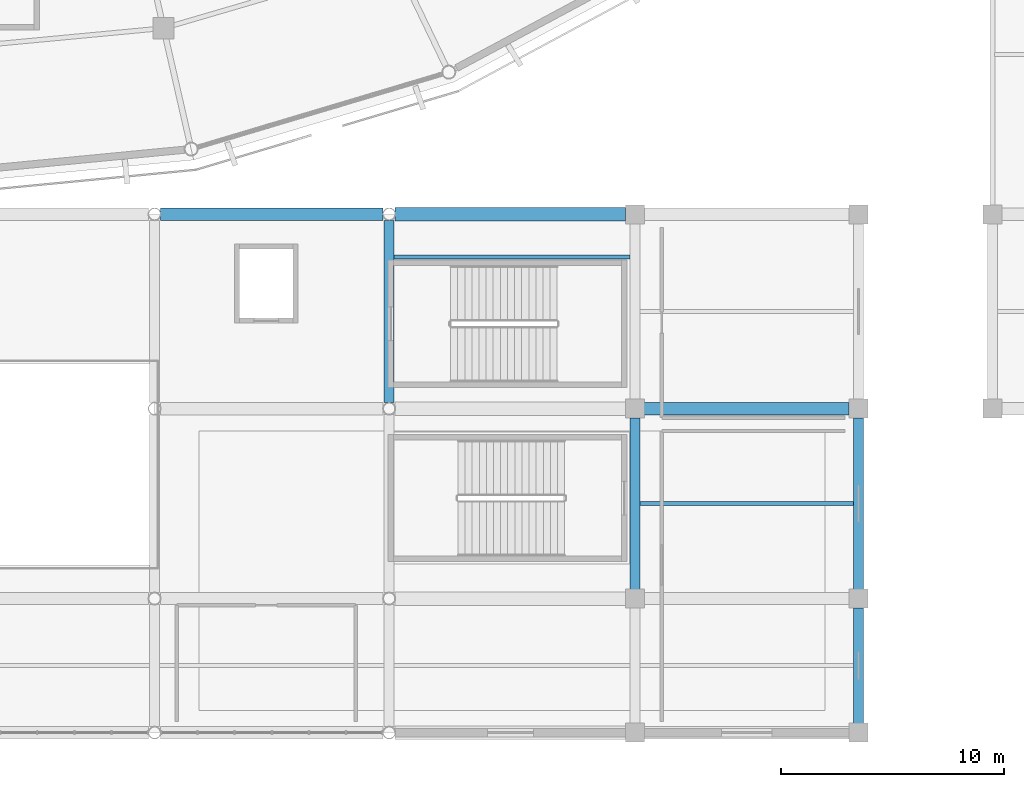
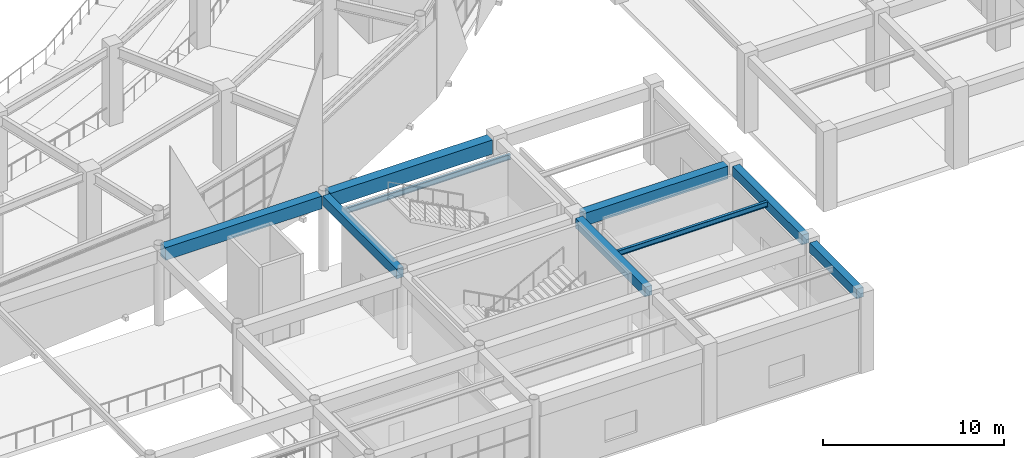
# One storey, part 27 of 120: 9 beams.
"""IFC4 building model written with IfcOpenShell, lengths in metres."""

from ifc_helpers import new_model, si_unit, direction, frame, origin, origin_2d, place, context, subcontext, project, spatial, rectangle, i_section, extrude, material, material_profile, profile_set, type_object, element, save


model = new_model("IFC4")

# Units and contexts
model_context = context("Model", 3, precision=1e-05, world=origin(), true_north=direction((0.0, 1.0)))
body_context = subcontext(model_context, "Body", "Model", "MODEL_VIEW")
ifc_project = project(units=[si_unit("LENGTHUNIT", "METRE"), si_unit("AREAUNIT", "SQUARE_METRE"), si_unit("VOLUMEUNIT", "CUBIC_METRE"), si_unit("PLANEANGLEUNIT", "RADIAN"), si_unit("MASSUNIT", "GRAM", prefix="KILO")], contexts=[model_context])

# Site, building, storey
site_placement = place(None, origin())
site = spatial("IfcSite", under=ifc_project, at=site_placement, CompositionType="ELEMENT")
building_placement = place(site_placement, origin())
building = spatial("IfcBuilding", under=site, at=building_placement, Name="Cuetzalor Civic Arena", CompositionType="ELEMENT")
storey_placement = place(building_placement, frame((0.0, 0.0, 6.0)))
storey = spatial("IfcBuildingStorey", under=building, at=storey_placement, Name="L01", CompositionType="ELEMENT", Elevation=6.0)

# Beams
ifc_material_1 = material(Name="Concrete C40/50", Category="concrete")
ifc_material_profile_1 = material_profile(ifc_material_1, rectangle(XDim=0.550048828125, YDim=0.85009765625, at=origin_2d()), Name="RC 550x850")
ifc_profile_set_1 = profile_set([ifc_material_profile_1], Name="Concrete C40/50")
beam_type_1 = type_object("IfcBeamType", Name="ConcreteFrameBeam_550x850", PredefinedType="BEAM", material=ifc_profile_set_1)
beam_1_placement = place(storey_placement, frame((32.4150390625, -57.0, 4.695068359375), z_axis=(1.0, 0.0, 0.0), x_axis=(0.0, 1.0, 0.0)))
element("IfcBeam", 1, at=beam_1_placement, inside=storey, type_object=beam_type_1, Name="Frame Girder V3-L01-X0310", PredefinedType="BEAM", context=body_context, shape_type="SweptSolid", body=[
    extrude(rectangle(XDim=0.550048828125, YDim=0.85009765625, at=origin_2d()), origin(), (0.0, 0.0, 1.0), 9.169921875),
])
beam_2_placement = place(storey_placement, frame((10.76953125, -48.300048828125, 4.695068359375), z_axis=(1.0, 0.0, 0.0), x_axis=(0.0, 1.0, 0.0)))
element("IfcBeam", 2, at=beam_2_placement, inside=storey, type_object=beam_type_1, Name="Frame Girder V3-L01-X0316", PredefinedType="BEAM", context=body_context, shape_type="SweptSolid", body=[
    extrude(rectangle(XDim=0.550048828125, YDim=0.85009765625, at=origin_2d()), origin(), (0.0, 0.0, 1.0), 9.9609375),
])
ifc_material_2 = material(Name="Concrete C40/50", Category="concrete")
ifc_material_profile_2 = material_profile(ifc_material_2, rectangle(XDim=0.60009765625, YDim=0.949951171875, at=origin_2d()), Name="RC 600x950")
ifc_profile_set_2 = profile_set([ifc_material_profile_2], Name="Concrete C40/50")
beam_type_2 = type_object("IfcBeamType", Name="ConcreteFrameBeam_600x950", PredefinedType="BEAM", material=ifc_profile_set_2)
beam_3_placement = place(storey_placement, frame((21.26953125, -48.300048828125, 4.64501953125), z_axis=(1.0, 0.0, 0.0), x_axis=(0.0, 1.0, 0.0)))
element("IfcBeam", 3, at=beam_3_placement, inside=storey, type_object=beam_type_2, Name="Frame Girder V3-L01-X0317", PredefinedType="BEAM", context=body_context, shape_type="SweptSolid", body=[
    extrude(rectangle(XDim=0.60009765625, YDim=0.949951171875, at=origin_2d()), origin(), (0.0, 0.0, 1.0), 10.3154296875),
])
ifc_material_3 = material(Name="Concrete C40/50", Category="concrete")
ifc_material_profile_3 = material_profile(ifc_material_3, rectangle(XDim=0.449951171875, YDim=0.64990234375, at=origin_2d()), Name="RC 450x650")
ifc_profile_set_3 = profile_set([ifc_material_profile_3], Name="Concrete C40/50")
beam_type_3 = type_object("IfcBeamType", Name="ConcreteTieBeam_450x650", PredefinedType="BEAM", material=ifc_profile_set_3)
beam_4_placement = place(storey_placement, frame((21.0, -56.73046875, 4.794921875), z_axis=(0.0, 1.0, 0.0), x_axis=(-1.0, 0.0, 0.0)))
element("IfcBeam", 4, at=beam_4_placement, inside=storey, type_object=beam_type_3, Name="Frame Girder V3-L01-Y0338", PredefinedType="BEAM", context=body_context, shape_type="SweptSolid", body=[
    extrude(rectangle(XDim=0.449951171875, YDim=0.64990234375, at=origin_2d()), origin(), (0.0, 0.0, 1.0), 8.160888671875),
])
beam_5_placement = place(storey_placement, frame((32.0, -65.0849609375, 4.794921875), z_axis=(0.0, 1.0, 0.0), x_axis=(-1.0, 0.0, 0.0)))
element("IfcBeam", 5, at=beam_5_placement, inside=storey, type_object=beam_type_3, Name="Frame Girder V3-L01-Y0340", PredefinedType="BEAM", context=body_context, shape_type="SweptSolid", body=[
    extrude(rectangle(XDim=0.449951171875, YDim=0.64990234375, at=origin_2d()), origin(), (0.0, 0.0, 1.0), 7.669921875),
])
beam_6_placement = place(storey_placement, frame((42.0, -71.0849609375, 4.794921875), z_axis=(0.0, 1.0, 0.0), x_axis=(-1.0, 0.0, 0.0)))
element("IfcBeam", 6, at=beam_6_placement, inside=storey, type_object=beam_type_3, Name="Frame Girder V3-L01-Y0342", PredefinedType="BEAM", context=body_context, shape_type="SweptSolid", body=[
    extrude(rectangle(XDim=0.449951171875, YDim=0.64990234375, at=origin_2d()), origin(), (0.0, 0.0, 1.0), 5.169921875),
])
beam_7_placement = place(storey_placement, frame((42.0, -65.0849609375, 4.794921875), z_axis=(0.0, 1.0, 0.0), x_axis=(-1.0, 0.0, 0.0)))
element("IfcBeam", 7, at=beam_7_placement, inside=storey, type_object=beam_type_3, Name="Frame Girder V3-L01-Y0343", PredefinedType="BEAM", context=body_context, shape_type="SweptSolid", body=[
    extrude(rectangle(XDim=0.449951171875, YDim=0.64990234375, at=origin_2d()), origin(), (0.0, 0.0, 1.0), 7.669921875),
])
ifc_material_4 = material(Name="Steel S355", Category="steel")
ifc_material_profile_4 = material_profile(ifc_material_4, i_section(OverallWidth=0.1708984375, OverallDepth=0.35498046875, WebThickness=0.007080078125, FlangeThickness=0.01171875, at=origin_2d()), Name="W360x51")
ifc_profile_set_4 = profile_set([ifc_material_profile_4], Name="Steel S355")
beam_type_4 = type_object("IfcBeamType", Name="SecondaryFloorJoist_W360", PredefinedType="JOIST", material=ifc_profile_set_4)
beam_8_placement = place(storey_placement, frame((21.217041015625, -50.214111328125, 4.9423828125), z_axis=(1.0, 0.0, 0.0), x_axis=(0.0, 1.0, 0.0)))
element("IfcBeam", 8, at=beam_8_placement, inside=storey, type_object=beam_type_4, Name="Secondary Floor Joist V3-L01-0101", PredefinedType="JOIST", context=body_context, shape_type="SweptSolid", body=[
    extrude(i_section(OverallWidth=0.1708984375, OverallDepth=0.35498046875, WebThickness=0.007080078125, FlangeThickness=0.01171875, at=origin_2d()), origin(), (0.0, 0.0, 1.0), 10.56591796875),
])
beam_9_placement = place(storey_placement, frame((32.217041015625, -61.25, 4.9423828125), z_axis=(1.0, 0.0, 0.0), x_axis=(0.0, 1.0, 0.0)))
element("IfcBeam", 9, at=beam_9_placement, inside=storey, type_object=beam_type_4, Name="Secondary Floor Joist V3-L01-0103", PredefinedType="JOIST", context=body_context, shape_type="SweptSolid", body=[
    extrude(i_section(OverallWidth=0.1708984375, OverallDepth=0.35498046875, WebThickness=0.007080078125, FlangeThickness=0.01171875, at=origin_2d()), origin(), (0.0, 0.0, 1.0), 9.56591796875),
])

save(model, "model.ifc")
